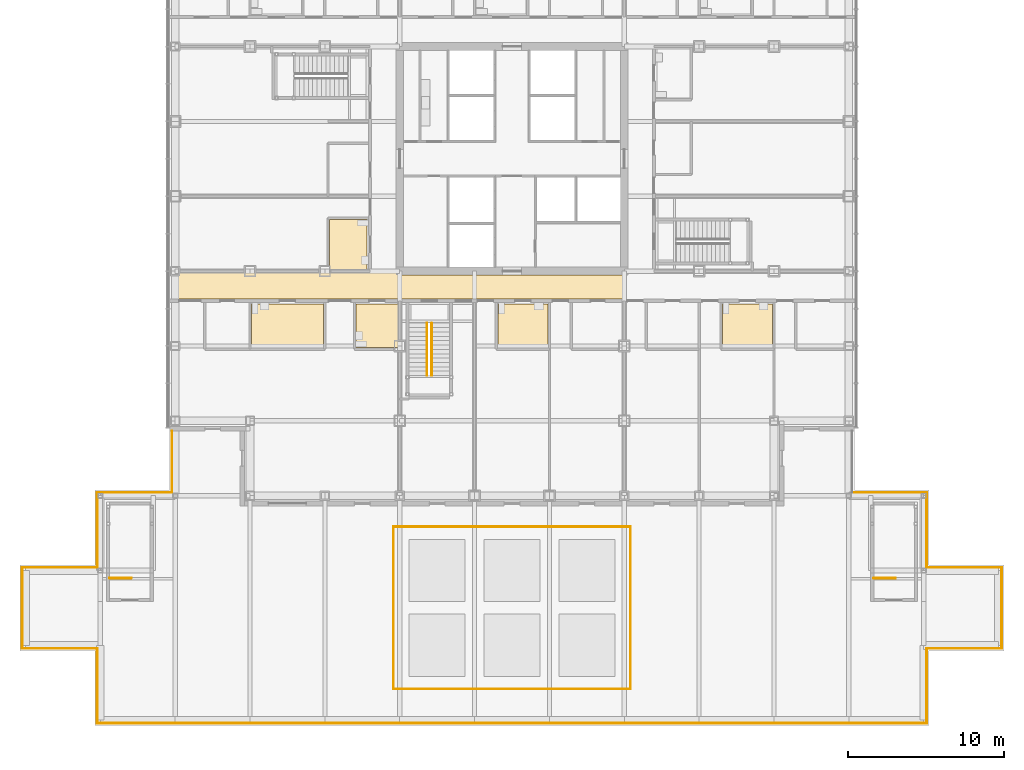
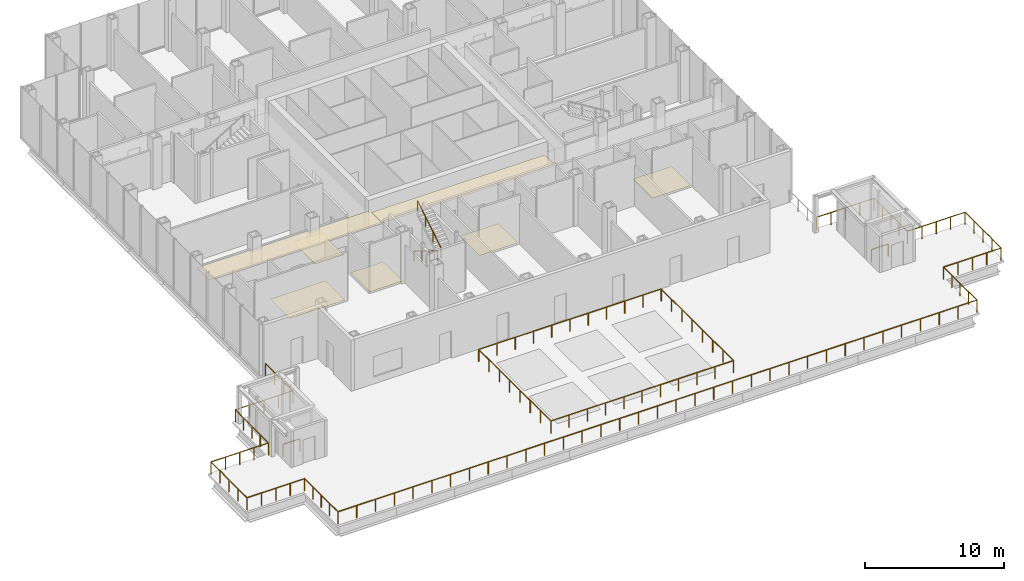
# One storey, part 21 of 24: 22 railings, 7 coverings.
"""IFC4 building model written with IfcOpenShell, lengths in metres."""

import ifcopenshell
import ifcopenshell.guid

model = None  # the IFC model being written
_history = None  # IfcOwnerHistory: only IFC2X3 demands one
_inside = {}  # id of a spatial element -> (the spatial element, [elements in it])
_under = {}  # id of a project, library or spatial element -> (it, [spatial elements below it])
_declared = {}  # id of a project -> (the project, [libraries it declares])
_typed = {}  # id of a type object -> (the type object, [elements of that type])
_made_of = {}  # id of a material, layer set ... -> (it, [elements and type objects made of it])


def new_model(schema):
    """Start an empty IFC model of exactly this schema.

    Asked for "IFC4X3", IfcOpenShell would pick the latest addendum, in which some entities
    have other attributes; the version numbers below select the first issue.
    IFC2X3 requires an IfcOwnerHistory on every rooted entity: one is made here for all.
    """
    global model, _history
    if schema == "IFC4X3":
        model = ifcopenshell.file(schema_version=(4, 3, 0, 0))
    else:
        model = ifcopenshell.file(schema=schema)
    _inside.clear()
    _under.clear()
    _declared.clear()
    _typed.clear()
    _made_of.clear()
    _history = None
    if model.schema == "IFC2X3":
        org = make("IfcOrganization", Name="unknown")
        user = make(
            "IfcPersonAndOrganization",
            ThePerson=make("IfcPerson", FamilyName="unknown"),
            TheOrganization=org,
        )
        app = make(
            "IfcApplication",
            ApplicationDeveloper=org,
            Version="unknown",
            ApplicationFullName="unknown",
            ApplicationIdentifier="unknown",
        )
        _history = make(
            "IfcOwnerHistory",
            OwningUser=user,
            OwningApplication=app,
            ChangeAction="ADDED",
            CreationDate=0,
        )
    return model


def make(cls, **values):
    """One entity of the class cls with the attributes given. An attribute that is None is left unset."""
    return model.create_entity(
        cls, **{name: value for name, value in values.items() if value is not None}
    )


def rooted(cls, **values):
    """An entity with a GlobalId (a new one), such as an element, a storey or a relation."""
    return make(cls, GlobalId=ifcopenshell.guid.new(), OwnerHistory=_history, **values)


def si_unit(unit_type, name, prefix=None):
    """IfcSIUnit, for example si_unit("LENGTHUNIT", "METRE", prefix="MILLI")."""
    return make("IfcSIUnit", UnitType=unit_type, Prefix=prefix, Name=name)


def assignment(units):
    """IfcUnitAssignment: the units of a project."""
    return None if units is None else make("IfcUnitAssignment", Units=units)


def point(xyz):
    """IfcCartesianPoint."""
    return None if xyz is None else make("IfcCartesianPoint", Coordinates=xyz)


def direction(xyz):
    """IfcDirection."""
    return None if xyz is None else make("IfcDirection", DirectionRatios=xyz)


def frame(location, z_axis=None, x_axis=None):
    """IfcAxis2Placement3D, a coordinate frame: its origin and axes. An axis left out is left unset."""
    return make(
        "IfcAxis2Placement3D",
        Location=point(location),
        Axis=direction(z_axis),
        RefDirection=direction(x_axis),
    )


def frame_2d(location, x_axis=None):
    """IfcAxis2Placement2D, a coordinate frame in the plane: its origin and x axis."""
    return make(
        "IfcAxis2Placement2D", Location=point(location), RefDirection=direction(x_axis)
    )


def origin():
    """The frame at (0, 0, 0) with its axes left unset."""
    return frame((0.0, 0.0, 0.0))


def origin_2d():
    """The frame at (0, 0) in the plane with its x axis left unset."""
    return frame_2d((0.0, 0.0))


def place(relative_to, where):
    """IfcLocalPlacement: puts the frame where relative to a parent placement (None: the world)."""
    return make(
        "IfcLocalPlacement", PlacementRelTo=relative_to, RelativePlacement=where
    )


def context(
    kind, dimensions, precision=None, world=None, true_north=None, identifier=None
):
    """IfcGeometricRepresentationContext, for example the 3D "Model" context."""
    return make(
        "IfcGeometricRepresentationContext",
        ContextIdentifier=identifier,
        ContextType=kind,
        CoordinateSpaceDimension=dimensions,
        Precision=precision,
        WorldCoordinateSystem=world,
        TrueNorth=true_north,
    )


def subcontext(parent, identifier, kind, view, scale=None):
    """IfcGeometricRepresentationSubContext, for example "Body" below "Model"."""
    return make(
        "IfcGeometricRepresentationSubContext",
        ContextIdentifier=identifier,
        ContextType=kind,
        ParentContext=parent,
        TargetScale=scale,
        TargetView=view,
    )


def project(units=None, contexts=None):
    """IfcProject with its units and contexts."""
    return rooted(
        "IfcProject",
        Name="project",
        RepresentationContexts=contexts,
        UnitsInContext=assignment(units),
    )


def spatial(cls, under=None, at=None, **own):
    """A site, building, storey or space (cls), placed at a placement, below another one or the project."""
    s = rooted(cls, ObjectPlacement=at, **own)
    if under is not None:
        _under.setdefault(under.id(), (under, []))[1].append(s)
    return s


def polyline(points):
    """IfcPolyline through the points."""
    return make("IfcPolyline", Points=[point(p) for p in points])


def profile(cls, at=None, kind="AREA", **sizes):
    """A parametric profile (cls). Its sizes go by their IFC names, for example OverallWidth=200.0."""
    return make(cls, ProfileType=kind, Position=at, **sizes)


def circle(**sizes):
    """IfcCircleProfileDef."""
    return profile("IfcCircleProfileDef", **sizes)


def outline(outer, holes=None, kind="AREA"):
    """IfcArbitraryClosedProfileDef: a profile drawn as a closed curve; with holes, ...WithVoids."""
    if holes is None:
        return make("IfcArbitraryClosedProfileDef", ProfileType=kind, OuterCurve=outer)
    return make(
        "IfcArbitraryProfileDefWithVoids",
        ProfileType=kind,
        OuterCurve=outer,
        InnerCurves=holes,
    )


def extrude(swept, where, along, depth):
    """IfcExtrudedAreaSolid: the profile swept, set in the frame where, extruded along a direction by depth."""
    return make(
        "IfcExtrudedAreaSolid",
        SweptArea=swept,
        Position=where,
        ExtrudedDirection=direction(along),
        Depth=depth,
    )


def shape(context_of_items, identifier, shape_type, items):
    """IfcShapeRepresentation: the items that make up one representation, for example the "Body"."""
    return make(
        "IfcShapeRepresentation",
        ContextOfItems=context_of_items,
        RepresentationIdentifier=identifier,
        RepresentationType=shape_type,
        Items=items,
    )


def material(Name=None, Category=None):
    """IfcMaterial."""
    return make("IfcMaterial", Name=Name, Category=Category)


def layer(
    of_material, thickness, ventilated=None, Name=None, Category=None, Priority=None
):
    """IfcMaterialLayer: one layer of a wall or slab, of a material (None: an air gap)."""
    return make(
        "IfcMaterialLayer",
        Material=of_material,
        LayerThickness=thickness,
        IsVentilated=ventilated,
        Name=Name,
        Category=Category,
        Priority=Priority,
    )


def layer_set(layers, Name=None):
    """IfcMaterialLayerSet."""
    return make("IfcMaterialLayerSet", MaterialLayers=layers, LayerSetName=Name)


def made_of(thing, what):
    """Note that an element or type object is made of a material, layer set ...; save() writes the relation."""
    if what is not None:
        _made_of.setdefault(what.id(), (what, []))[1].append(thing)
    return thing


def type_object(cls, material=None, **own):
    """A type object (cls), such as IfcWallType, which elements share."""
    return made_of(rooted(cls, **own), material)


def element(
    cls,
    number,
    at=None,
    inside=None,
    cuts=None,
    type_object=None,
    material=None,
    context=None,
    identifier="Body",
    shape_type=None,
    held_by="IfcProductDefinitionShape",
    body=None,
    shapes=None,
    **own,
):
    """One element of the class cls, such as IfcWall. Its Tag is "e" and its number.

    at: its placement. inside: the storey or other place that contains it. cuts: it is an
    opening in that element (IfcRelVoidsElement). A single representation is given by context,
    identifier, shape_type and body (its items); several are given by shapes. held_by: the class
    of the entity that holds the representations. save() writes the other relations.
    """
    e = rooted(cls, Tag="e%d" % number, ObjectPlacement=at, **own)
    if body is not None:
        shapes = [shape(context, identifier, shape_type, body)]
    if shapes is not None:
        e.Representation = make(held_by, Representations=shapes)
    if inside is not None:
        _inside.setdefault(inside.id(), (inside, []))[1].append(e)
    if cuts is not None:
        rooted(
            "IfcRelVoidsElement", RelatingBuildingElement=cuts, RelatedOpeningElement=e
        )
    if type_object is not None:
        _typed.setdefault(type_object.id(), (type_object, []))[1].append(e)
    return made_of(e, material)


def aggregate(whole, parts):
    """IfcRelAggregates: a whole, such as a stair, and the parts it consists of."""
    return rooted("IfcRelAggregates", RelatingObject=whole, RelatedObjects=parts)


def save(model, path):
    """Write the relations noted so far, then the file.

    IfcRelAggregates (storeys below a building ...), IfcRelContainedInSpatialStructure (elements
    in a storey), IfcRelDefinesByType, IfcRelAssociatesMaterial and IfcRelDeclares: one each for
    every whole, place, type object, material and project.
    """
    for whole, parts in _under.values():
        aggregate(whole, parts)
    for where, things in _inside.values():
        rooted(
            "IfcRelContainedInSpatialStructure",
            RelatedElements=things,
            RelatingStructure=where,
        )
    for kind, things in _typed.values():
        rooted("IfcRelDefinesByType", RelatedObjects=things, RelatingType=kind)
    for what, things in _made_of.values():
        rooted("IfcRelAssociatesMaterial", RelatedObjects=things, RelatingMaterial=what)
    for by, libraries in _declared.values():
        rooted("IfcRelDeclares", RelatingContext=by, RelatedDefinitions=libraries)
    model.write(path)


model = new_model("IFC4")

# Units and contexts
model_context = context("Model", 3, precision=1e-05, world=origin(), true_north=direction((0.0, 1.0)))
body_context = subcontext(model_context, "Body", "Model", "MODEL_VIEW")
ifc_project = project(units=[si_unit("LENGTHUNIT", "METRE"), si_unit("AREAUNIT", "SQUARE_METRE"), si_unit("VOLUMEUNIT", "CUBIC_METRE"), si_unit("PLANEANGLEUNIT", "RADIAN"), si_unit("MASSUNIT", "GRAM", prefix="KILO")], contexts=[model_context])

# Site, building, storey
site_placement = place(None, origin())
site = spatial("IfcSite", under=ifc_project, at=site_placement, CompositionType="ELEMENT")
building_placement = place(site_placement, origin())
building = spatial("IfcBuilding", under=site, at=building_placement, Name="Kvirike Care Tower", CompositionType="ELEMENT")
storey_placement = place(building_placement, frame((0.0, 0.0, 22.5)))
storey = spatial("IfcBuildingStorey", under=building, at=storey_placement, Name="L05", CompositionType="ELEMENT", Elevation=22.5)

# Coverings
ifc_material_1 = material(Name="Perforated metal ceiling tile", Category="aluminium")
ifc_layer_1 = layer(ifc_material_1, 0.014892578125)
ifc_layer_set_1 = layer_set([ifc_layer_1], Name="CORRIDOR CEILING 15")
covering_type_1 = type_object("IfcCoveringType", Name="CORRIDOR CEILING 15", PredefinedType="CEILING", material=ifc_layer_set_1)
covering_1_placement = place(storey_placement, frame((0.0, 0.0, 3.199951171875)))
element("IfcCovering", 1, at=covering_1_placement, inside=storey, type_object=covering_type_1, Name="Corridor ceiling L05", PredefinedType="CEILING", context=body_context, shape_type="SweptSolid", body=[
    extrude(outline(polyline([(0.0, 27.0), (0.0, 28.800048828125), (14.39990234375, 28.800048828125), (14.39990234375, 27.0), (0.0, 27.0)])), origin(), (0.0, 0.0, 1.0), 0.01513671875),
])
covering_2_placement = place(storey_placement, frame((0.0, 0.0, 3.199951171875)))
element("IfcCovering", 2, at=covering_2_placement, inside=storey, type_object=covering_type_1, Name="Corridor ceiling L05", PredefinedType="CEILING", context=body_context, shape_type="SweptSolid", body=[
    extrude(outline(polyline([(14.39990234375, 27.0), (14.39990234375, 28.550048828125), (28.800048828125, 28.550048828125), (28.800048828125, 27.0), (14.39990234375, 27.0)])), origin(), (0.0, 0.0, 1.0), 0.01513671875),
])

# Railings
ifc_material_2 = material(Name="Stainless steel handrail", Category="steel")
railing_type_1 = type_object("IfcRailingType", Name="STAIR HANDRAIL 900", PredefinedType="HANDRAIL", material=ifc_material_2)
railing_1_placement = place(storey_placement, frame((16.14990234375, 25.4599609375, 0.173095703125)))
element("IfcRailing", 3, at=railing_1_placement, inside=storey, type_object=railing_type_1, Name="Stair 5 handrail L05 flight 1", PredefinedType="HANDRAIL", context=body_context, shape_type="SweptSolid", body=[
    extrude(circle(Radius=0.02490234375, at=origin_2d()), frame((0.0, 0.0, 0.875), z_axis=(0.0, -0.850606129759, 0.525803396734), x_axis=(1.0, 0.0, 0.0)), (0.0, 0.0, 1.0), 3.949951171875),
    extrude(circle(Radius=0.02001953125, at=origin_2d()), origin(), (0.0, 0.0, 1.0), 0.849853515625),
    extrude(circle(Radius=0.02001953125, at=origin_2d()), frame((0.0, -1.119873046875, 0.6923828125)), (0.0, 0.0, 1.0), 0.849853515625),
    extrude(circle(Radius=0.02001953125, at=origin_2d()), frame((0.0, -2.239990234375, 1.384521484375)), (0.0, 0.0, 1.0), 0.849853515625),
    extrude(circle(Radius=0.02001953125, at=origin_2d()), frame((0.0, -3.35986328125, 2.076904296875)), (0.0, 0.0, 1.0), 0.849853515625),
])
railing_2_placement = place(storey_placement, frame((16.449951171875, 22.10009765625, 2.423095703125)))
element("IfcRailing", 4, at=railing_2_placement, inside=storey, type_object=railing_type_1, Name="Stair 5 handrail L05 flight 2", PredefinedType="HANDRAIL", context=body_context, shape_type="SweptSolid", body=[
    extrude(circle(Radius=0.02490234375, at=origin_2d()), frame((0.0, 0.0, 0.875), z_axis=(0.0, 0.850606129759, 0.525803396734), x_axis=(-1.0, 0.0, 0.0)), (0.0, 0.0, 1.0), 3.949951171875),
    extrude(circle(Radius=0.02001953125, at=origin_2d()), origin(), (0.0, 0.0, 1.0), 0.849853515625),
    extrude(circle(Radius=0.02001953125, at=origin_2d()), frame((0.0, 1.119873046875, 0.6923828125)), (0.0, 0.0, 1.0), 0.849853515625),
    extrude(circle(Radius=0.02001953125, at=origin_2d()), frame((0.0, 2.239990234375, 1.384521484375)), (0.0, 0.0, 1.0), 0.849853515625),
    extrude(circle(Radius=0.02001953125, at=origin_2d()), frame((0.0, 3.35986328125, 2.076904296875)), (0.0, 0.0, 1.0), 0.849853515625),
])
ifc_material_3 = material(Name="Bronze-finish steel guard", Category="steel")
railing_type_2 = type_object("IfcRailingType", Name="STAIR WELL GUARD 1100", PredefinedType="GUARDRAIL", material=ifc_material_3)
for number, where, name in (
    (5, (-4.199951171875, 9.110107421875, 0.0), "Stair 3 top landing guard L05"),
    (6, (44.800048828125, 9.110107421875, 0.0), "Stair 4 top landing guard L05"),
):
    element("IfcRailing", number, at=place(storey_placement, frame(where)), inside=storey, type_object=railing_type_2, Name=name, PredefinedType="GUARDRAIL", context=body_context, shape_type="SweptSolid", body=[
        extrude(circle(Radius=0.02392578125, at=origin_2d()), frame((0.0, 0.0, 1.076171875), z_axis=(1.0, 0.0, 0.0), x_axis=(0.0, 1.0, 0.0)), (0.0, 0.0, 1.0), 1.39990234375),
        extrude(circle(Radius=0.02099609375, at=origin_2d()), origin(), (0.0, 0.0, 1.0), 1.052001953125),
        extrude(circle(Radius=0.02099609375, at=origin_2d()), frame((1.39990234375, 0.0, 0.0)), (0.0, 0.0, 1.0), 1.052001953125),
    ])
ifc_material_4 = material(Name="Bronze-finish steel guard with glass infill", Category="steel")
railing_type_3 = type_object("IfcRailingType", Name="TERRACE GUARD 1100", PredefinedType="GUARDRAIL", material=ifc_material_4)
railing_3_placement = place(storey_placement, frame((-5.0, -0.199951171875, 0.0)))
element("IfcRailing", 7, at=railing_3_placement, inside=storey, type_object=railing_type_3, Name="Terrace guard L05 1", PredefinedType="GUARDRAIL", context=body_context, shape_type="SweptSolid", body=[
    extrude(circle(Radius=0.02392578125, at=origin_2d()), frame((0.0, 0.0, 1.076171875), z_axis=(1.0, 0.0, 0.0), x_axis=(0.0, 1.0, 0.0)), (0.0, 0.0, 1.0), 53.199951171875),
    extrude(circle(Radius=0.02099609375, at=origin_2d()), origin(), (0.0, 0.0, 1.0), 1.052001953125),
    extrude(circle(Radius=0.02099609375, at=origin_2d()), frame((1.564697265625, 0.0, 0.0)), (0.0, 0.0, 1.0), 1.052001953125),
    extrude(circle(Radius=0.02099609375, at=origin_2d()), frame((3.12939453125, 0.0, 0.0)), (0.0, 0.0, 1.0), 1.052001953125),
    extrude(circle(Radius=0.02099609375, at=origin_2d()), frame((4.694091796875, 0.0, 0.0)), (0.0, 0.0, 1.0), 1.052001953125),
    extrude(circle(Radius=0.02099609375, at=origin_2d()), frame((6.2587890625, 0.0, 0.0)), (0.0, 0.0, 1.0), 1.052001953125),
    extrude(circle(Radius=0.02099609375, at=origin_2d()), frame((7.823486328125, 0.0, 0.0)), (0.0, 0.0, 1.0), 1.052001953125),
    extrude(circle(Radius=0.02099609375, at=origin_2d()), frame((9.38818359375, 0.0, 0.0)), (0.0, 0.0, 1.0), 1.052001953125),
    extrude(circle(Radius=0.02099609375, at=origin_2d()), frame((10.952880859375, 0.0, 0.0)), (0.0, 0.0, 1.0), 1.052001953125),
    extrude(circle(Radius=0.02099609375, at=origin_2d()), frame((12.517578125, 0.0, 0.0)), (0.0, 0.0, 1.0), 1.052001953125),
    extrude(circle(Radius=0.02099609375, at=origin_2d()), frame((14.082275390625, 0.0, 0.0)), (0.0, 0.0, 1.0), 1.052001953125),
    extrude(circle(Radius=0.02099609375, at=origin_2d()), frame((15.64697265625, 0.0, 0.0)), (0.0, 0.0, 1.0), 1.052001953125),
    extrude(circle(Radius=0.02099609375, at=origin_2d()), frame((17.211669921875, 0.0, 0.0)), (0.0, 0.0, 1.0), 1.052001953125),
    extrude(circle(Radius=0.02099609375, at=origin_2d()), frame((18.7763671875, 0.0, 0.0)), (0.0, 0.0, 1.0), 1.052001953125),
    extrude(circle(Radius=0.02099609375, at=origin_2d()), frame((20.341064453125, 0.0, 0.0)), (0.0, 0.0, 1.0), 1.052001953125),
    extrude(circle(Radius=0.02099609375, at=origin_2d()), frame((21.90576171875, 0.0, 0.0)), (0.0, 0.0, 1.0), 1.052001953125),
    extrude(circle(Radius=0.02099609375, at=origin_2d()), frame((23.470458984375, 0.0, 0.0)), (0.0, 0.0, 1.0), 1.052001953125),
    extrude(circle(Radius=0.02099609375, at=origin_2d()), frame((25.03515625, 0.0, 0.0)), (0.0, 0.0, 1.0), 1.052001953125),
    extrude(circle(Radius=0.02099609375, at=origin_2d()), frame((26.60009765625, 0.0, 0.0)), (0.0, 0.0, 1.0), 1.052001953125),
    extrude(circle(Radius=0.02099609375, at=origin_2d()), frame((28.164794921875, 0.0, 0.0)), (0.0, 0.0, 1.0), 1.052001953125),
    extrude(circle(Radius=0.02099609375, at=origin_2d()), frame((29.7294921875, 0.0, 0.0)), (0.0, 0.0, 1.0), 1.052001953125),
    extrude(circle(Radius=0.02099609375, at=origin_2d()), frame((31.294189453125, 0.0, 0.0)), (0.0, 0.0, 1.0), 1.052001953125),
    extrude(circle(Radius=0.02099609375, at=origin_2d()), frame((32.85888671875, 0.0, 0.0)), (0.0, 0.0, 1.0), 1.052001953125),
    extrude(circle(Radius=0.02099609375, at=origin_2d()), frame((34.423583984375, 0.0, 0.0)), (0.0, 0.0, 1.0), 1.052001953125),
    extrude(circle(Radius=0.02099609375, at=origin_2d()), frame((35.98828125, 0.0, 0.0)), (0.0, 0.0, 1.0), 1.052001953125),
    extrude(circle(Radius=0.02099609375, at=origin_2d()), frame((37.552978515625, 0.0, 0.0)), (0.0, 0.0, 1.0), 1.052001953125),
    extrude(circle(Radius=0.02099609375, at=origin_2d()), frame((39.11767578125, 0.0, 0.0)), (0.0, 0.0, 1.0), 1.052001953125),
    extrude(circle(Radius=0.02099609375, at=origin_2d()), frame((40.682373046875, 0.0, 0.0)), (0.0, 0.0, 1.0), 1.052001953125),
    extrude(circle(Radius=0.02099609375, at=origin_2d()), frame((42.2470703125, 0.0, 0.0)), (0.0, 0.0, 1.0), 1.052001953125),
    extrude(circle(Radius=0.02099609375, at=origin_2d()), frame((43.811767578125, 0.0, 0.0)), (0.0, 0.0, 1.0), 1.052001953125),
    extrude(circle(Radius=0.02099609375, at=origin_2d()), frame((45.37646484375, 0.0, 0.0)), (0.0, 0.0, 1.0), 1.052001953125),
    extrude(circle(Radius=0.02099609375, at=origin_2d()), frame((46.941162109375, 0.0, 0.0)), (0.0, 0.0, 1.0), 1.052001953125),
    extrude(circle(Radius=0.02099609375, at=origin_2d()), frame((48.505859375, 0.0, 0.0)), (0.0, 0.0, 1.0), 1.052001953125),
    extrude(circle(Radius=0.02099609375, at=origin_2d()), frame((50.070556640625, 0.0, 0.0)), (0.0, 0.0, 1.0), 1.052001953125),
    extrude(circle(Radius=0.02099609375, at=origin_2d()), frame((51.63525390625, 0.0, 0.0)), (0.0, 0.0, 1.0), 1.052001953125),
    extrude(circle(Radius=0.02099609375, at=origin_2d()), frame((53.199951171875, 0.0, 0.0)), (0.0, 0.0, 1.0), 1.052001953125),
])
railing_4_placement = place(storey_placement, frame((48.199951171875, -0.199951171875, 0.0)))
element("IfcRailing", 8, at=railing_4_placement, inside=storey, type_object=railing_type_3, Name="Terrace guard L05 2", PredefinedType="GUARDRAIL", context=body_context, shape_type="SweptSolid", body=[
    extrude(circle(Radius=0.02392578125, at=origin_2d()), frame((0.0, 0.0, 1.076171875), z_axis=(0.0, 1.0, 0.0), x_axis=(-1.0, 0.0, 0.0)), (0.0, 0.0, 1.0), 4.800048828125),
    extrude(circle(Radius=0.02099609375, at=origin_2d()), origin(), (0.0, 0.0, 1.0), 1.052001953125),
    extrude(circle(Radius=0.02099609375, at=origin_2d()), frame((0.0, 1.199951171875, 0.0)), (0.0, 0.0, 1.0), 1.052001953125),
    extrude(circle(Radius=0.02099609375, at=origin_2d()), frame((0.0, 2.39990234375, 0.0)), (0.0, 0.0, 1.0), 1.052001953125),
    extrude(circle(Radius=0.02099609375, at=origin_2d()), frame((0.0, 3.60009765625, 0.0)), (0.0, 0.0, 1.0), 1.052001953125),
    extrude(circle(Radius=0.02099609375, at=origin_2d()), frame((0.0, 4.800048828125, 0.0)), (0.0, 0.0, 1.0), 1.052001953125),
])
railing_5_placement = place(storey_placement, frame((48.199951171875, 4.60009765625, 0.0)))
element("IfcRailing", 9, at=railing_5_placement, inside=storey, type_object=railing_type_3, Name="Terrace guard L05 3", PredefinedType="GUARDRAIL", context=body_context, shape_type="SweptSolid", body=[
    extrude(circle(Radius=0.02392578125, at=origin_2d()), frame((0.0, 0.0, 1.076171875), z_axis=(1.0, 0.0, 0.0), x_axis=(0.0, 1.0, 0.0)), (0.0, 0.0, 1.0), 4.800048828125),
    extrude(circle(Radius=0.02099609375, at=origin_2d()), origin(), (0.0, 0.0, 1.0), 1.052001953125),
    extrude(circle(Radius=0.02099609375, at=origin_2d()), frame((1.199951171875, 0.0, 0.0)), (0.0, 0.0, 1.0), 1.052001953125),
    extrude(circle(Radius=0.02099609375, at=origin_2d()), frame((2.39990234375, 0.0, 0.0)), (0.0, 0.0, 1.0), 1.052001953125),
    extrude(circle(Radius=0.02099609375, at=origin_2d()), frame((3.60009765625, 0.0, 0.0)), (0.0, 0.0, 1.0), 1.052001953125),
    extrude(circle(Radius=0.02099609375, at=origin_2d()), frame((4.800048828125, 0.0, 0.0)), (0.0, 0.0, 1.0), 1.052001953125),
])
railing_6_placement = place(storey_placement, frame((53.0, 4.60009765625, 0.0)))
element("IfcRailing", 10, at=railing_6_placement, inside=storey, type_object=railing_type_3, Name="Terrace guard L05 4", PredefinedType="GUARDRAIL", context=body_context, shape_type="SweptSolid", body=[
    extrude(circle(Radius=0.02392578125, at=origin_2d()), frame((0.0, 0.0, 1.076171875), z_axis=(0.0, 1.0, 0.0), x_axis=(-1.0, 0.0, 0.0)), (0.0, 0.0, 1.0), 5.199951171875),
    extrude(circle(Radius=0.02099609375, at=origin_2d()), origin(), (0.0, 0.0, 1.0), 1.052001953125),
    extrude(circle(Radius=0.02099609375, at=origin_2d()), frame((0.0, 1.300048828125, 0.0)), (0.0, 0.0, 1.0), 1.052001953125),
    extrude(circle(Radius=0.02099609375, at=origin_2d()), frame((0.0, 2.60009765625, 0.0)), (0.0, 0.0, 1.0), 1.052001953125),
    extrude(circle(Radius=0.02099609375, at=origin_2d()), frame((0.0, 3.89990234375, 0.0)), (0.0, 0.0, 1.0), 1.052001953125),
    extrude(circle(Radius=0.02099609375, at=origin_2d()), frame((0.0, 5.199951171875, 0.0)), (0.0, 0.0, 1.0), 1.052001953125),
])
railing_7_placement = place(storey_placement, frame((53.0, 9.800048828125, 0.0)))
element("IfcRailing", 11, at=railing_7_placement, inside=storey, type_object=railing_type_3, Name="Terrace guard L05 5", PredefinedType="GUARDRAIL", context=body_context, shape_type="SweptSolid", body=[
    extrude(circle(Radius=0.02392578125, at=origin_2d()), frame((0.0, 0.0, 1.076171875), z_axis=(-1.0, 0.0, 0.0), x_axis=(0.0, -1.0, 0.0)), (0.0, 0.0, 1.0), 4.800048828125),
    extrude(circle(Radius=0.02099609375, at=origin_2d()), origin(), (0.0, 0.0, 1.0), 1.052001953125),
    extrude(circle(Radius=0.02099609375, at=origin_2d()), frame((-1.199951171875, 0.0, 0.0)), (0.0, 0.0, 1.0), 1.052001953125),
    extrude(circle(Radius=0.02099609375, at=origin_2d()), frame((-2.39990234375, 0.0, 0.0)), (0.0, 0.0, 1.0), 1.052001953125),
    extrude(circle(Radius=0.02099609375, at=origin_2d()), frame((-3.60009765625, 0.0, 0.0)), (0.0, 0.0, 1.0), 1.052001953125),
    extrude(circle(Radius=0.02099609375, at=origin_2d()), frame((-4.800048828125, 0.0, 0.0)), (0.0, 0.0, 1.0), 1.052001953125),
])
railing_8_placement = place(storey_placement, frame((48.199951171875, 9.800048828125, 0.0)))
element("IfcRailing", 12, at=railing_8_placement, inside=storey, type_object=railing_type_3, Name="Terrace guard L05 6", PredefinedType="GUARDRAIL", context=body_context, shape_type="SweptSolid", body=[
    extrude(circle(Radius=0.02392578125, at=origin_2d()), frame((0.0, 0.0, 1.076171875), z_axis=(0.0, 1.0, 0.0), x_axis=(-1.0, 0.0, 0.0)), (0.0, 0.0, 1.0), 4.800048828125),
    extrude(circle(Radius=0.02099609375, at=origin_2d()), origin(), (0.0, 0.0, 1.0), 1.052001953125),
    extrude(circle(Radius=0.02099609375, at=origin_2d()), frame((0.0, 1.199951171875, 0.0)), (0.0, 0.0, 1.0), 1.052001953125),
    extrude(circle(Radius=0.02099609375, at=origin_2d()), frame((0.0, 2.39990234375, 0.0)), (0.0, 0.0, 1.0), 1.052001953125),
    extrude(circle(Radius=0.02099609375, at=origin_2d()), frame((0.0, 3.60009765625, 0.0)), (0.0, 0.0, 1.0), 1.052001953125),
    extrude(circle(Radius=0.02099609375, at=origin_2d()), frame((0.0, 4.800048828125, 0.0)), (0.0, 0.0, 1.0), 1.052001953125),
])
railing_9_placement = place(storey_placement, frame((48.199951171875, 14.60009765625, 0.0)))
element("IfcRailing", 13, at=railing_9_placement, inside=storey, type_object=railing_type_3, Name="Terrace guard L05 7", PredefinedType="GUARDRAIL", context=body_context, shape_type="SweptSolid", body=[
    extrude(circle(Radius=0.02392578125, at=origin_2d()), frame((0.0, 0.0, 1.076171875), z_axis=(-1.0, 0.0, 0.0), x_axis=(0.0, -1.0, 0.0)), (0.0, 0.0, 1.0), 4.800048828125),
    extrude(circle(Radius=0.02099609375, at=origin_2d()), origin(), (0.0, 0.0, 1.0), 1.052001953125),
    extrude(circle(Radius=0.02099609375, at=origin_2d()), frame((-1.199951171875, 0.0, 0.0)), (0.0, 0.0, 1.0), 1.052001953125),
    extrude(circle(Radius=0.02099609375, at=origin_2d()), frame((-2.39990234375, 0.0, 0.0)), (0.0, 0.0, 1.0), 1.052001953125),
    extrude(circle(Radius=0.02099609375, at=origin_2d()), frame((-3.60009765625, 0.0, 0.0)), (0.0, 0.0, 1.0), 1.052001953125),
    extrude(circle(Radius=0.02099609375, at=origin_2d()), frame((-4.800048828125, 0.0, 0.0)), (0.0, 0.0, 1.0), 1.052001953125),
])
railing_10_placement = place(storey_placement, frame((-0.199951171875, 18.550048828125, 0.0)))
element("IfcRailing", 14, at=railing_10_placement, inside=storey, type_object=railing_type_3, Name="Terrace guard L05 9", PredefinedType="GUARDRAIL", context=body_context, shape_type="SweptSolid", body=[
    extrude(circle(Radius=0.02392578125, at=origin_2d()), frame((0.0, 0.0, 1.076171875), z_axis=(0.0, -1.0, 0.0), x_axis=(1.0, 0.0, 0.0)), (0.0, 0.0, 1.0), 3.949951171875),
    extrude(circle(Radius=0.02099609375, at=origin_2d()), origin(), (0.0, 0.0, 1.0), 1.052001953125),
    extrude(circle(Radius=0.02099609375, at=origin_2d()), frame((0.0, -1.316650390625, 0.0)), (0.0, 0.0, 1.0), 1.052001953125),
    extrude(circle(Radius=0.02099609375, at=origin_2d()), frame((0.0, -2.63330078125, 0.0)), (0.0, 0.0, 1.0), 1.052001953125),
    extrude(circle(Radius=0.02099609375, at=origin_2d()), frame((0.0, -3.949951171875, 0.0)), (0.0, 0.0, 1.0), 1.052001953125),
])
railing_11_placement = place(storey_placement, frame((-0.199951171875, 14.60009765625, 0.0)))
element("IfcRailing", 15, at=railing_11_placement, inside=storey, type_object=railing_type_3, Name="Terrace guard L05 10", PredefinedType="GUARDRAIL", context=body_context, shape_type="SweptSolid", body=[
    extrude(circle(Radius=0.02392578125, at=origin_2d()), frame((0.0, 0.0, 1.076171875), z_axis=(-1.0, 0.0, 0.0), x_axis=(0.0, -1.0, 0.0)), (0.0, 0.0, 1.0), 4.800048828125),
    extrude(circle(Radius=0.02099609375, at=origin_2d()), origin(), (0.0, 0.0, 1.0), 1.052001953125),
    extrude(circle(Radius=0.02099609375, at=origin_2d()), frame((-1.199951171875, 0.0, 0.0)), (0.0, 0.0, 1.0), 1.052001953125),
    extrude(circle(Radius=0.02099609375, at=origin_2d()), frame((-2.39990234375, 0.0, 0.0)), (0.0, 0.0, 1.0), 1.052001953125),
    extrude(circle(Radius=0.02099609375, at=origin_2d()), frame((-3.60009765625, 0.0, 0.0)), (0.0, 0.0, 1.0), 1.052001953125),
    extrude(circle(Radius=0.02099609375, at=origin_2d()), frame((-4.800048828125, 0.0, 0.0)), (0.0, 0.0, 1.0), 1.052001953125),
])
railing_12_placement = place(storey_placement, frame((-5.0, 14.60009765625, 0.0)))
element("IfcRailing", 16, at=railing_12_placement, inside=storey, type_object=railing_type_3, Name="Terrace guard L05 11", PredefinedType="GUARDRAIL", context=body_context, shape_type="SweptSolid", body=[
    extrude(circle(Radius=0.02392578125, at=origin_2d()), frame((0.0, 0.0, 1.076171875), z_axis=(0.0, -1.0, 0.0), x_axis=(1.0, 0.0, 0.0)), (0.0, 0.0, 1.0), 4.800048828125),
    extrude(circle(Radius=0.02099609375, at=origin_2d()), origin(), (0.0, 0.0, 1.0), 1.052001953125),
    extrude(circle(Radius=0.02099609375, at=origin_2d()), frame((0.0, -1.199951171875, 0.0)), (0.0, 0.0, 1.0), 1.052001953125),
    extrude(circle(Radius=0.02099609375, at=origin_2d()), frame((0.0, -2.39990234375, 0.0)), (0.0, 0.0, 1.0), 1.052001953125),
    extrude(circle(Radius=0.02099609375, at=origin_2d()), frame((0.0, -3.60009765625, 0.0)), (0.0, 0.0, 1.0), 1.052001953125),
    extrude(circle(Radius=0.02099609375, at=origin_2d()), frame((0.0, -4.800048828125, 0.0)), (0.0, 0.0, 1.0), 1.052001953125),
])
railing_13_placement = place(storey_placement, frame((-5.0, 9.800048828125, 0.0)))
element("IfcRailing", 17, at=railing_13_placement, inside=storey, type_object=railing_type_3, Name="Terrace guard L05 12", PredefinedType="GUARDRAIL", context=body_context, shape_type="SweptSolid", body=[
    extrude(circle(Radius=0.02392578125, at=origin_2d()), frame((0.0, 0.0, 1.076171875), z_axis=(-1.0, 0.0, 0.0), x_axis=(0.0, -1.0, 0.0)), (0.0, 0.0, 1.0), 4.800048828125),
    extrude(circle(Radius=0.02099609375, at=origin_2d()), origin(), (0.0, 0.0, 1.0), 1.052001953125),
    extrude(circle(Radius=0.02099609375, at=origin_2d()), frame((-1.199951171875, 0.0, 0.0)), (0.0, 0.0, 1.0), 1.052001953125),
    extrude(circle(Radius=0.02099609375, at=origin_2d()), frame((-2.39990234375, 0.0, 0.0)), (0.0, 0.0, 1.0), 1.052001953125),
    extrude(circle(Radius=0.02099609375, at=origin_2d()), frame((-3.60009765625, 0.0, 0.0)), (0.0, 0.0, 1.0), 1.052001953125),
    extrude(circle(Radius=0.02099609375, at=origin_2d()), frame((-4.800048828125, 0.0, 0.0)), (0.0, 0.0, 1.0), 1.052001953125),
])
railing_14_placement = place(storey_placement, frame((-9.800048828125, 9.800048828125, 0.0)))
element("IfcRailing", 18, at=railing_14_placement, inside=storey, type_object=railing_type_3, Name="Terrace guard L05 13", PredefinedType="GUARDRAIL", context=body_context, shape_type="SweptSolid", body=[
    extrude(circle(Radius=0.02392578125, at=origin_2d()), frame((0.0, 0.0, 1.076171875), z_axis=(0.0, -1.0, 0.0), x_axis=(1.0, 0.0, 0.0)), (0.0, 0.0, 1.0), 5.199951171875),
    extrude(circle(Radius=0.02099609375, at=origin_2d()), origin(), (0.0, 0.0, 1.0), 1.052001953125),
    extrude(circle(Radius=0.02099609375, at=origin_2d()), frame((0.0, -1.300048828125, 0.0)), (0.0, 0.0, 1.0), 1.052001953125),
    extrude(circle(Radius=0.02099609375, at=origin_2d()), frame((0.0, -2.60009765625, 0.0)), (0.0, 0.0, 1.0), 1.052001953125),
    extrude(circle(Radius=0.02099609375, at=origin_2d()), frame((0.0, -3.89990234375, 0.0)), (0.0, 0.0, 1.0), 1.052001953125),
    extrude(circle(Radius=0.02099609375, at=origin_2d()), frame((0.0, -5.199951171875, 0.0)), (0.0, 0.0, 1.0), 1.052001953125),
])
railing_15_placement = place(storey_placement, frame((-9.800048828125, 4.60009765625, 0.0)))
element("IfcRailing", 19, at=railing_15_placement, inside=storey, type_object=railing_type_3, Name="Terrace guard L05 14", PredefinedType="GUARDRAIL", context=body_context, shape_type="SweptSolid", body=[
    extrude(circle(Radius=0.02392578125, at=origin_2d()), frame((0.0, 0.0, 1.076171875), z_axis=(1.0, 0.0, 0.0), x_axis=(0.0, 1.0, 0.0)), (0.0, 0.0, 1.0), 4.800048828125),
    extrude(circle(Radius=0.02099609375, at=origin_2d()), origin(), (0.0, 0.0, 1.0), 1.052001953125),
    extrude(circle(Radius=0.02099609375, at=origin_2d()), frame((1.199951171875, 0.0, 0.0)), (0.0, 0.0, 1.0), 1.052001953125),
    extrude(circle(Radius=0.02099609375, at=origin_2d()), frame((2.39990234375, 0.0, 0.0)), (0.0, 0.0, 1.0), 1.052001953125),
    extrude(circle(Radius=0.02099609375, at=origin_2d()), frame((3.60009765625, 0.0, 0.0)), (0.0, 0.0, 1.0), 1.052001953125),
    extrude(circle(Radius=0.02099609375, at=origin_2d()), frame((4.800048828125, 0.0, 0.0)), (0.0, 0.0, 1.0), 1.052001953125),
])
railing_16_placement = place(storey_placement, frame((-5.0, 4.60009765625, 0.0)))
element("IfcRailing", 20, at=railing_16_placement, inside=storey, type_object=railing_type_3, Name="Terrace guard L05 15", PredefinedType="GUARDRAIL", context=body_context, shape_type="SweptSolid", body=[
    extrude(circle(Radius=0.02392578125, at=origin_2d()), frame((0.0, 0.0, 1.076171875), z_axis=(0.0, -1.0, 0.0), x_axis=(1.0, 0.0, 0.0)), (0.0, 0.0, 1.0), 4.800048828125),
    extrude(circle(Radius=0.02099609375, at=origin_2d()), origin(), (0.0, 0.0, 1.0), 1.052001953125),
    extrude(circle(Radius=0.02099609375, at=origin_2d()), frame((0.0, -1.199951171875, 0.0)), (0.0, 0.0, 1.0), 1.052001953125),
    extrude(circle(Radius=0.02099609375, at=origin_2d()), frame((0.0, -2.39990234375, 0.0)), (0.0, 0.0, 1.0), 1.052001953125),
    extrude(circle(Radius=0.02099609375, at=origin_2d()), frame((0.0, -3.60009765625, 0.0)), (0.0, 0.0, 1.0), 1.052001953125),
    extrude(circle(Radius=0.02099609375, at=origin_2d()), frame((0.0, -4.800048828125, 0.0)), (0.0, 0.0, 1.0), 1.052001953125),
])
railing_17_placement = place(storey_placement, frame((14.0, 2.0, 0.0)))
element("IfcRailing", 21, at=railing_17_placement, inside=storey, type_object=railing_type_3, Name="Rooflight guard 1", PredefinedType="GUARDRAIL", context=body_context, shape_type="SweptSolid", body=[
    extrude(circle(Radius=0.02392578125, at=origin_2d()), frame((0.0, 0.0, 1.076171875), z_axis=(1.0, 0.0, 0.0), x_axis=(0.0, 1.0, 0.0)), (0.0, 0.0, 1.0), 15.199951171875),
    extrude(circle(Radius=0.02099609375, at=origin_2d()), origin(), (0.0, 0.0, 1.0), 1.052001953125),
    extrude(circle(Radius=0.02099609375, at=origin_2d()), frame((1.52001953125, 0.0, 0.0)), (0.0, 0.0, 1.0), 1.052001953125),
    extrude(circle(Radius=0.02099609375, at=origin_2d()), frame((3.0400390625, 0.0, 0.0)), (0.0, 0.0, 1.0), 1.052001953125),
    extrude(circle(Radius=0.02099609375, at=origin_2d()), frame((4.56005859375, 0.0, 0.0)), (0.0, 0.0, 1.0), 1.052001953125),
    extrude(circle(Radius=0.02099609375, at=origin_2d()), frame((6.080078125, 0.0, 0.0)), (0.0, 0.0, 1.0), 1.052001953125),
    extrude(circle(Radius=0.02099609375, at=origin_2d()), frame((7.60009765625, 0.0, 0.0)), (0.0, 0.0, 1.0), 1.052001953125),
    extrude(circle(Radius=0.02099609375, at=origin_2d()), frame((9.119873046875, 0.0, 0.0)), (0.0, 0.0, 1.0), 1.052001953125),
    extrude(circle(Radius=0.02099609375, at=origin_2d()), frame((10.639892578125, 0.0, 0.0)), (0.0, 0.0, 1.0), 1.052001953125),
    extrude(circle(Radius=0.02099609375, at=origin_2d()), frame((12.159912109375, 0.0, 0.0)), (0.0, 0.0, 1.0), 1.052001953125),
    extrude(circle(Radius=0.02099609375, at=origin_2d()), frame((13.679931640625, 0.0, 0.0)), (0.0, 0.0, 1.0), 1.052001953125),
    extrude(circle(Radius=0.02099609375, at=origin_2d()), frame((15.199951171875, 0.0, 0.0)), (0.0, 0.0, 1.0), 1.052001953125),
])
railing_18_placement = place(storey_placement, frame((29.199951171875, 2.0, 0.0)))
element("IfcRailing", 22, at=railing_18_placement, inside=storey, type_object=railing_type_3, Name="Rooflight guard 2", PredefinedType="GUARDRAIL", context=body_context, shape_type="SweptSolid", body=[
    extrude(circle(Radius=0.02392578125, at=origin_2d()), frame((0.0, 0.0, 1.076171875), z_axis=(0.0, 1.0, 0.0), x_axis=(-1.0, 0.0, 0.0)), (0.0, 0.0, 1.0), 10.39990234375),
    extrude(circle(Radius=0.02099609375, at=origin_2d()), origin(), (0.0, 0.0, 1.0), 1.052001953125),
    extrude(circle(Radius=0.02099609375, at=origin_2d()), frame((0.0, 1.485595703125, 0.0)), (0.0, 0.0, 1.0), 1.052001953125),
    extrude(circle(Radius=0.02099609375, at=origin_2d()), frame((0.0, 2.971435546875, 0.0)), (0.0, 0.0, 1.0), 1.052001953125),
    extrude(circle(Radius=0.02099609375, at=origin_2d()), frame((0.0, 4.45703125, 0.0)), (0.0, 0.0, 1.0), 1.052001953125),
    extrude(circle(Radius=0.02099609375, at=origin_2d()), frame((0.0, 5.94287109375, 0.0)), (0.0, 0.0, 1.0), 1.052001953125),
    extrude(circle(Radius=0.02099609375, at=origin_2d()), frame((0.0, 7.428466796875, 0.0)), (0.0, 0.0, 1.0), 1.052001953125),
    extrude(circle(Radius=0.02099609375, at=origin_2d()), frame((0.0, 8.914306640625, 0.0)), (0.0, 0.0, 1.0), 1.052001953125),
    extrude(circle(Radius=0.02099609375, at=origin_2d()), frame((0.0, 10.39990234375, 0.0)), (0.0, 0.0, 1.0), 1.052001953125),
])
railing_19_placement = place(storey_placement, frame((29.199951171875, 12.39990234375, 0.0)))
element("IfcRailing", 23, at=railing_19_placement, inside=storey, type_object=railing_type_3, Name="Rooflight guard 3", PredefinedType="GUARDRAIL", context=body_context, shape_type="SweptSolid", body=[
    extrude(circle(Radius=0.02392578125, at=origin_2d()), frame((0.0, 0.0, 1.076171875), z_axis=(-1.0, 0.0, 0.0), x_axis=(0.0, -1.0, 0.0)), (0.0, 0.0, 1.0), 15.199951171875),
    extrude(circle(Radius=0.02099609375, at=origin_2d()), origin(), (0.0, 0.0, 1.0), 1.052001953125),
    extrude(circle(Radius=0.02099609375, at=origin_2d()), frame((-1.52001953125, 0.0, 0.0)), (0.0, 0.0, 1.0), 1.052001953125),
    extrude(circle(Radius=0.02099609375, at=origin_2d()), frame((-3.0400390625, 0.0, 0.0)), (0.0, 0.0, 1.0), 1.052001953125),
    extrude(circle(Radius=0.02099609375, at=origin_2d()), frame((-4.56005859375, 0.0, 0.0)), (0.0, 0.0, 1.0), 1.052001953125),
    extrude(circle(Radius=0.02099609375, at=origin_2d()), frame((-6.080078125, 0.0, 0.0)), (0.0, 0.0, 1.0), 1.052001953125),
    extrude(circle(Radius=0.02099609375, at=origin_2d()), frame((-7.60009765625, 0.0, 0.0)), (0.0, 0.0, 1.0), 1.052001953125),
    extrude(circle(Radius=0.02099609375, at=origin_2d()), frame((-9.119873046875, 0.0, 0.0)), (0.0, 0.0, 1.0), 1.052001953125),
    extrude(circle(Radius=0.02099609375, at=origin_2d()), frame((-10.639892578125, 0.0, 0.0)), (0.0, 0.0, 1.0), 1.052001953125),
    extrude(circle(Radius=0.02099609375, at=origin_2d()), frame((-12.159912109375, 0.0, 0.0)), (0.0, 0.0, 1.0), 1.052001953125),
    extrude(circle(Radius=0.02099609375, at=origin_2d()), frame((-13.679931640625, 0.0, 0.0)), (0.0, 0.0, 1.0), 1.052001953125),
    extrude(circle(Radius=0.02099609375, at=origin_2d()), frame((-15.199951171875, 0.0, 0.0)), (0.0, 0.0, 1.0), 1.052001953125),
])
railing_20_placement = place(storey_placement, frame((14.0, 12.39990234375, 0.0)))
element("IfcRailing", 24, at=railing_20_placement, inside=storey, type_object=railing_type_3, Name="Rooflight guard 4", PredefinedType="GUARDRAIL", context=body_context, shape_type="SweptSolid", body=[
    extrude(circle(Radius=0.02392578125, at=origin_2d()), frame((0.0, 0.0, 1.076171875), z_axis=(0.0, -1.0, 0.0), x_axis=(1.0, 0.0, 0.0)), (0.0, 0.0, 1.0), 10.39990234375),
    extrude(circle(Radius=0.02099609375, at=origin_2d()), origin(), (0.0, 0.0, 1.0), 1.052001953125),
    extrude(circle(Radius=0.02099609375, at=origin_2d()), frame((0.0, -1.485595703125, 0.0)), (0.0, 0.0, 1.0), 1.052001953125),
    extrude(circle(Radius=0.02099609375, at=origin_2d()), frame((0.0, -2.971435546875, 0.0)), (0.0, 0.0, 1.0), 1.052001953125),
    extrude(circle(Radius=0.02099609375, at=origin_2d()), frame((0.0, -4.45703125, 0.0)), (0.0, 0.0, 1.0), 1.052001953125),
    extrude(circle(Radius=0.02099609375, at=origin_2d()), frame((0.0, -5.94287109375, 0.0)), (0.0, 0.0, 1.0), 1.052001953125),
    extrude(circle(Radius=0.02099609375, at=origin_2d()), frame((0.0, -7.428466796875, 0.0)), (0.0, 0.0, 1.0), 1.052001953125),
    extrude(circle(Radius=0.02099609375, at=origin_2d()), frame((0.0, -8.914306640625, 0.0)), (0.0, 0.0, 1.0), 1.052001953125),
    extrude(circle(Radius=0.02099609375, at=origin_2d()), frame((0.0, -10.39990234375, 0.0)), (0.0, 0.0, 1.0), 1.052001953125),
])

# Coverings
ifc_material_5 = material(Name="Slip-resistant vinyl safety flooring on screed")
ifc_layer_2 = layer(ifc_material_5, 0.02001953125)
ifc_layer_set_2 = layer_set([ifc_layer_2], Name="WET ROOM FLOOR 20")
covering_type_2 = type_object("IfcCoveringType", Name="WET ROOM FLOOR 20", PredefinedType="FLOORING", material=ifc_layer_set_2)
covering_3_placement = place(storey_placement, origin())
element("IfcCovering", 25, at=covering_3_placement, inside=storey, type_object=covering_type_2, Name="Accessible WC floor L05-004", PredefinedType="FLOORING", context=body_context, shape_type="SweptSolid", body=[
    extrude(outline(polyline([(4.89990234375, 26.699951171875), (9.5, 26.699951171875), (9.5, 23.89990234375), (4.89990234375, 23.89990234375), (4.89990234375, 26.699951171875)])), origin(), (0.0, 0.0, 1.0), 0.02001953125),
])
covering_4_placement = place(storey_placement, origin())
element("IfcCovering", 26, at=covering_4_placement, inside=storey, type_object=covering_type_2, Name="Staff WC floor L05-005", PredefinedType="FLOORING", context=body_context, shape_type="SweptSolid", body=[
    extrude(outline(polyline([(11.60009765625, 26.699951171875), (14.300048828125, 26.699951171875), (14.300048828125, 23.89990234375), (11.60009765625, 23.89990234375), (11.60009765625, 26.699951171875)])), origin(), (0.0, 0.0, 1.0), 0.02001953125),
])
covering_5_placement = place(storey_placement, origin())
element("IfcCovering", 27, at=covering_5_placement, inside=storey, type_object=covering_type_2, Name="Staff WC floor L05-011", PredefinedType="FLOORING", context=body_context, shape_type="SweptSolid", body=[
    extrude(outline(polyline([(12.300048828125, 32.10009765625), (12.300048828125, 28.89990234375), (9.89990234375, 28.89990234375), (9.89990234375, 32.10009765625), (12.300048828125, 32.10009765625)])), origin(), (0.0, 0.0, 1.0), 0.02001953125),
])
covering_6_placement = place(storey_placement, origin())
element("IfcCovering", 28, at=covering_6_placement, inside=storey, type_object=covering_type_2, Name="Accessible WC floor L05-024", PredefinedType="FLOORING", context=body_context, shape_type="SweptSolid", body=[
    extrude(outline(polyline([(20.699951171875, 26.699951171875), (23.89990234375, 26.699951171875), (23.89990234375, 23.89990234375), (20.699951171875, 23.89990234375), (20.699951171875, 26.699951171875)])), origin(), (0.0, 0.0, 1.0), 0.02001953125),
])
covering_7_placement = place(storey_placement, origin())
element("IfcCovering", 29, at=covering_7_placement, inside=storey, type_object=covering_type_2, Name="Accessible WC floor L05-038", PredefinedType="FLOORING", context=body_context, shape_type="SweptSolid", body=[
    extrude(outline(polyline([(35.10009765625, 26.699951171875), (38.300048828125, 26.699951171875), (38.300048828125, 23.89990234375), (35.10009765625, 23.89990234375), (35.10009765625, 26.699951171875)])), origin(), (0.0, 0.0, 1.0), 0.02001953125),
])

save(model, "model.ifc")
